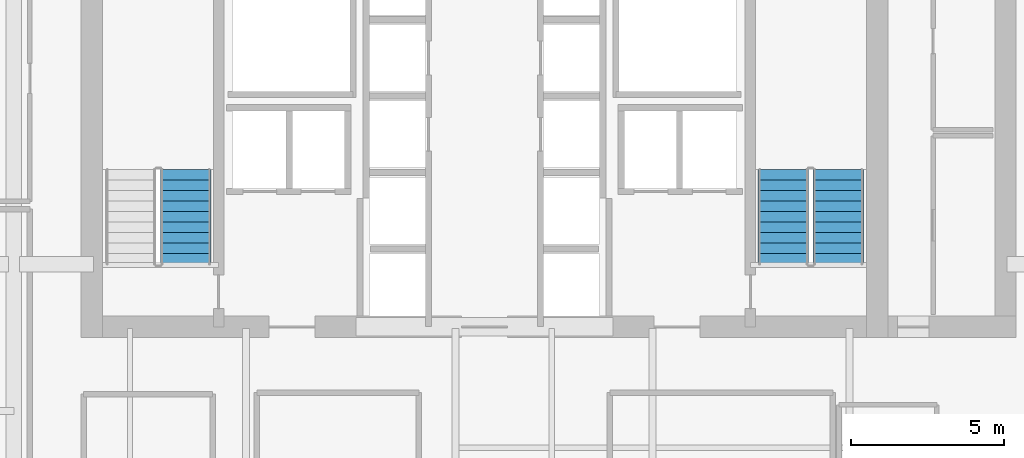
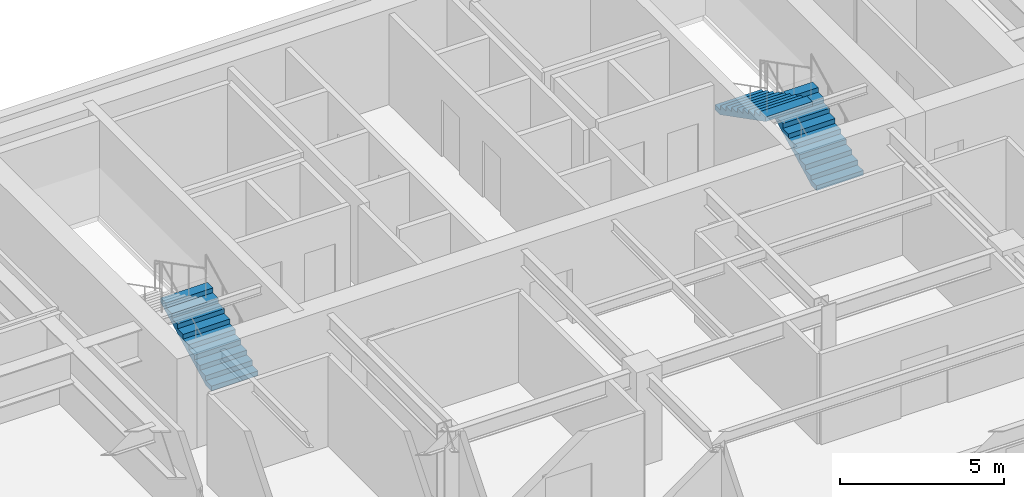
# One storey, part 16 of 17: 3 stair flights, 2 elements without a shape of their own.
"""IFC4 building model written with IfcOpenShell, lengths in metres."""

from ifc_helpers import new_model, si_unit, direction, frame, origin, place, context, subcontext, project, spatial, polyline, outline, extrude, material, type_object, element, aggregate, save


model = new_model("IFC4")

# Units and contexts
model_context = context("Model", 3, precision=1e-05, world=origin(), true_north=direction((0.0, 1.0)))
body_context = subcontext(model_context, "Body", "Model", "MODEL_VIEW")
ifc_project = project(units=[si_unit("LENGTHUNIT", "METRE"), si_unit("AREAUNIT", "SQUARE_METRE"), si_unit("VOLUMEUNIT", "CUBIC_METRE"), si_unit("PLANEANGLEUNIT", "RADIAN"), si_unit("MASSUNIT", "GRAM", prefix="KILO")], contexts=[model_context])

# Site, building, storey
site_placement = place(None, origin())
site = spatial("IfcSite", under=ifc_project, at=site_placement, CompositionType="ELEMENT")
building_placement = place(site_placement, origin())
building = spatial("IfcBuilding", under=site, at=building_placement, Name="Tolvann Quenvar Hotel", CompositionType="ELEMENT")
storey_placement = place(building_placement, frame((0.0, 0.0, 129.300048828125)))
storey = spatial("IfcBuildingStorey", under=building, at=storey_placement, Name="L33", CompositionType="ELEMENT", Elevation=129.300048828125)

# Stair, stair flight
ifc_material = material(Name="Concrete N40 (40 MPa)", Category="concrete")
stair_type = type_object("IfcStairType", Name="STAIR", PredefinedType="HALF_TURN_STAIR", material=ifc_material)
stair_1_placement = place(storey_placement, origin())
stair_1 = element("IfcStair", 1, at=stair_1_placement, inside=storey, type_object=stair_type, Name="L33 ST-C1", PredefinedType="HALF_TURN_STAIR")
stair_flight_type = type_object("IfcStairFlightType", Name="STAIR_FLIGHT", PredefinedType="STRAIGHT", material=ifc_material)
stair_flight_1_placement = place(storey_placement, frame((13.22509765625, 34.0, 0.0), z_axis=(0.0, 0.0, 1.0), x_axis=(0.0, 1.0, 0.0)))
stair_flight_1 = element("IfcStairFlight", 2, at=stair_flight_1_placement, type_object=stair_flight_type, Name="ST-C1 flight 1", NumberOfRisers=10, NumberOfTreads=9, PredefinedType="STRAIGHT", RiserHeight=0.1775, TreadLength=0.345, context=body_context, shape_type="SweptSolid", body=[
    extrude(outline(polyline([(0.0, 0.0), (0.0, 0.177490234375), (0.344970703125, 0.177490234375), (0.344970703125, 0.35498046875), (0.68994140625, 0.35498046875), (0.68994140625, 0.532470703125), (1.034912109375, 0.532470703125), (1.034912109375, 0.7099609375), (1.3798828125, 0.7099609375), (1.3798828125, 0.887451171875), (1.72509765625, 0.887451171875), (1.72509765625, 1.06494140625), (2.070068359375, 1.06494140625), (2.070068359375, 1.242431640625), (2.4150390625, 1.242431640625), (2.4150390625, 1.419921875), (2.760009765625, 1.419921875), (2.760009765625, 1.597412109375), (3.10498046875, 1.597412109375), (3.10498046875, 1.77490234375), (3.10498046875, 1.428955078125), (0.32763671875, 0.0), (0.0, 0.0)])), frame((0.0, 0.824951171875, 0.0), z_axis=(0.0, -1.0, 0.0), x_axis=(1.0, 0.0, 0.0)), (0.0, 0.0, 1.0), 1.64990234375),
])
aggregate(stair_1, [stair_flight_1])

# Stair, stair flights
stair_2_placement = place(storey_placement, origin())
stair_2 = element("IfcStair", 3, at=stair_2_placement, inside=storey, type_object=stair_type, Name="L33 ST-C2", PredefinedType="HALF_TURN_STAIR")
stair_flight_2_placement = place(storey_placement, frame((34.574951171875, 34.0, 0.0), z_axis=(0.0, 0.0, 1.0), x_axis=(0.0, 1.0, 0.0)))
stair_flight_2 = element("IfcStairFlight", 4, at=stair_flight_2_placement, type_object=stair_flight_type, Name="ST-C2 flight 1", NumberOfRisers=10, NumberOfTreads=9, PredefinedType="STRAIGHT", RiserHeight=0.1775, TreadLength=0.345, context=body_context, shape_type="SweptSolid", body=[
    extrude(outline(polyline([(0.0, 0.0), (0.0, 0.177490234375), (0.344970703125, 0.177490234375), (0.344970703125, 0.35498046875), (0.68994140625, 0.35498046875), (0.68994140625, 0.532470703125), (1.034912109375, 0.532470703125), (1.034912109375, 0.7099609375), (1.3798828125, 0.7099609375), (1.3798828125, 0.887451171875), (1.72509765625, 0.887451171875), (1.72509765625, 1.06494140625), (2.070068359375, 1.06494140625), (2.070068359375, 1.242431640625), (2.4150390625, 1.242431640625), (2.4150390625, 1.419921875), (2.760009765625, 1.419921875), (2.760009765625, 1.597412109375), (3.10498046875, 1.597412109375), (3.10498046875, 1.77490234375), (3.10498046875, 1.428955078125), (0.32763671875, 0.0), (0.0, 0.0)])), frame((0.0, 0.824951171875, 0.0), z_axis=(0.0, -1.0, 0.0), x_axis=(1.0, 0.0, 0.0)), (0.0, 0.0, 1.0), 1.64990234375),
])
stair_flight_3_placement = place(storey_placement, frame((32.77490234375, 37.10498046875, 1.77490234375), z_axis=(0.0, 0.0, 1.0), x_axis=(0.0, -1.0, 0.0)))
stair_flight_3 = element("IfcStairFlight", 5, at=stair_flight_3_placement, type_object=stair_flight_type, Name="ST-C2 flight 2", NumberOfRisers=10, NumberOfTreads=9, PredefinedType="STRAIGHT", RiserHeight=0.1775, TreadLength=0.345, context=body_context, shape_type="SweptSolid", body=[
    extrude(outline(polyline([(0.0, 0.0), (0.0, 0.177490234375), (0.344970703125, 0.177490234375), (0.344970703125, 0.35498046875), (0.68994140625, 0.35498046875), (0.68994140625, 0.532470703125), (1.034912109375, 0.532470703125), (1.034912109375, 0.7099609375), (1.3798828125, 0.7099609375), (1.3798828125, 0.887451171875), (1.72509765625, 0.887451171875), (1.72509765625, 1.06494140625), (2.070068359375, 1.06494140625), (2.070068359375, 1.242431640625), (2.4150390625, 1.242431640625), (2.4150390625, 1.419921875), (2.760009765625, 1.419921875), (2.760009765625, 1.597412109375), (3.10498046875, 1.597412109375), (3.10498046875, 1.77490234375), (3.10498046875, 1.428955078125), (0.32763671875, 0.0), (0.0, 0.0)])), frame((0.0, 0.824951171875, 0.0), z_axis=(0.0, -1.0, 0.0), x_axis=(1.0, 0.0, 0.0)), (0.0, 0.0, 1.0), 1.64990234375),
])
aggregate(stair_2, [stair_flight_2, stair_flight_3])

save(model, "model.ifc")
